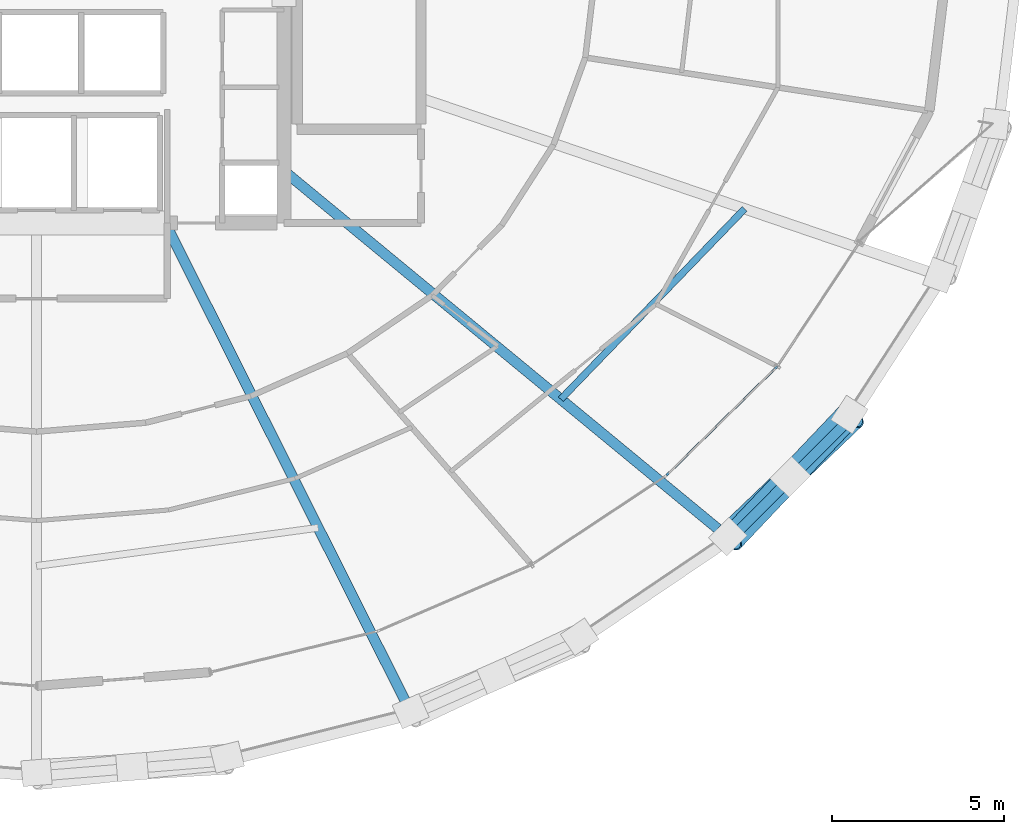
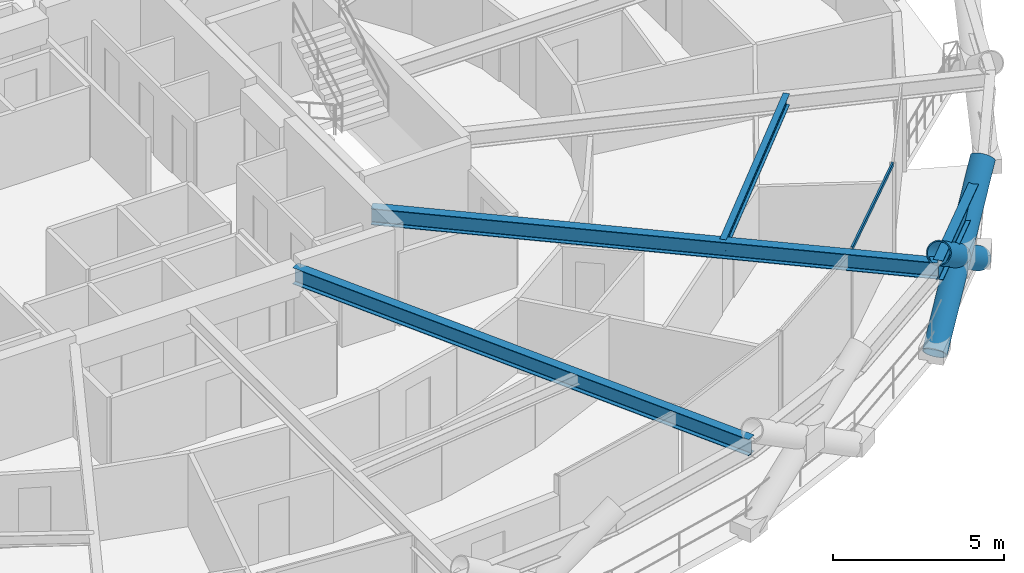
# One storey, part 9 of 19: 4 beams, 4 members, 1 element without a shape of its own.
"""IFC4 building model written with IfcOpenShell, lengths in metres."""

from ifc_helpers import new_model, si_unit, direction, frame, origin, origin_2d, place, context, subcontext, project, spatial, hollow_rectangle, hollow_circle, i_section, extrude, material, layer, layer_set, material_profile, profile_set, type_object, element, aggregate, save


model = new_model("IFC4")

# Units and contexts
model_context = context("Model", 3, precision=1e-05, world=origin(), true_north=direction((0.0, 1.0)))
body_context = subcontext(model_context, "Body", "Model", "MODEL_VIEW")
ifc_project = project(units=[si_unit("LENGTHUNIT", "METRE"), si_unit("AREAUNIT", "SQUARE_METRE"), si_unit("VOLUMEUNIT", "CUBIC_METRE"), si_unit("PLANEANGLEUNIT", "RADIAN"), si_unit("MASSUNIT", "GRAM", prefix="KILO")], contexts=[model_context])

# Site, building, storey
site_placement = place(None, origin())
site = spatial("IfcSite", under=ifc_project, at=site_placement, CompositionType="ELEMENT")
building_placement = place(site_placement, origin())
building = spatial("IfcBuilding", under=site, at=building_placement, Name="Veldorina Hangang Commons", CompositionType="ELEMENT")
storey_placement = place(building_placement, frame((0.0, 0.0, 52.0)))
storey = spatial("IfcBuildingStorey", under=building, at=storey_placement, Name="L12", CompositionType="ELEMENT", Elevation=52.0)

# Beams
ifc_material_1 = material(Name="Steel SM460-TMC", Category="steel")
ifc_material_profile_1 = material_profile(ifc_material_1, i_section(OverallWidth=0.300048828125, OverallDepth=0.587890625, WebThickness=0.011962890625, FlangeThickness=0.02001953125, FilletRadius=0.01806640625, at=origin_2d()), Name="H-588x300x12x20")
ifc_profile_set_1 = profile_set([ifc_material_profile_1], Name="Steel SM460-TMC")
beam_type_1 = type_object("IfcBeamType", Name="BM-FG588", PredefinedType="BEAM", material=ifc_profile_set_1)
beam_1_placement = place(storey_placement, frame((35.741455078125, 16.550048828125, 3.0458984375), z_axis=(0.448781583211, -0.893641477647, 0.0), x_axis=(0.893641477647, 0.448781583211, 0.0)))
element("IfcBeam", 1, at=beam_1_placement, inside=storey, type_object=beam_type_1, Name="L12 radial floor girder 14", PredefinedType="BEAM", context=body_context, shape_type="SweptSolid", body=[
    extrude(i_section(OverallWidth=0.300048828125, OverallDepth=0.587890625, WebThickness=0.011962890625, FlangeThickness=0.02001953125, FilletRadius=0.01806640625, at=origin_2d()), origin(), (0.0, 0.0, 1.0), 15.999267578125),
])
beam_2_placement = place(storey_placement, frame((39.199951171875, 18.061279296875, 3.0458984375), z_axis=(0.771448772905, -0.636291435416, 0.0), x_axis=(0.636291435416, 0.771448772905, 0.0)))
element("IfcBeam", 2, at=beam_2_placement, inside=storey, type_object=beam_type_1, Name="L12 radial floor girder 15", PredefinedType="BEAM", context=body_context, shape_type="SweptSolid", body=[
    extrude(i_section(OverallWidth=0.300048828125, OverallDepth=0.587890625, WebThickness=0.011962890625, FlangeThickness=0.02001953125, FilletRadius=0.01806640625, at=origin_2d()), origin(), (0.0, 0.0, 1.0), 16.826171875),
])
ifc_material_2 = material(Name="Steel SM355-TMC", Category="steel")
ifc_material_profile_2 = material_profile(ifc_material_2, i_section(OverallWidth=0.199951171875, OverallDepth=0.39990234375, WebThickness=0.008056640625, FlangeThickness=0.012939453125, FilletRadius=0.012939453125, at=origin_2d()), Name="H-400x200x8x13")
ifc_profile_set_2 = profile_set([ifc_material_profile_2], Name="Steel SM355-TMC")
beam_type_2 = type_object("IfcBeamType", Name="BM-JST400", PredefinedType="JOIST", material=ifc_profile_set_2)
beam_3_placement = place(storey_placement, frame((47.247802734375, 11.423583984375, 3.139892578125), z_axis=(0.694552641031, 0.719441887046, 0.0), x_axis=(-0.719441887046, 0.694552641031, 0.0)))
element("IfcBeam", 3, at=beam_3_placement, inside=storey, type_object=beam_type_2, Name="L12 secondary floor joist 15", PredefinedType="JOIST", context=body_context, shape_type="SweptSolid", body=[
    extrude(i_section(OverallWidth=0.199951171875, OverallDepth=0.39990234375, WebThickness=0.008056640625, FlangeThickness=0.012939453125, FilletRadius=0.012939453125, at=origin_2d()), origin(), (0.0, 0.0, 1.0), 7.7001953125),
])
ifc_material_profile_3 = material_profile(ifc_material_1, i_section(OverallWidth=0.300048828125, OverallDepth=0.699951171875, WebThickness=0.012939453125, FlangeThickness=0.02392578125, FilletRadius=0.02197265625, at=origin_2d()), Name="H-700x300x13x24")
ifc_profile_set_3 = profile_set([ifc_material_profile_3], Name="Steel SM460-TMC")
beam_type_3 = type_object("IfcBeamType", Name="BM-RB700", PredefinedType="BEAM", material=ifc_profile_set_3)
beam_4_placement = place(storey_placement, frame((52.180419921875, 7.35498046875, 2.989990234375), z_axis=(0.705333709409, 0.708875418089, 0.0), x_axis=(-0.708875418089, 0.705333709409, 0.0)))
element("IfcBeam", 4, at=beam_4_placement, inside=storey, type_object=beam_type_3, Name="L12 perimeter hoop ring beam 28", PredefinedType="BEAM", context=body_context, shape_type="SweptSolid", body=[
    extrude(i_section(OverallWidth=0.300048828125, OverallDepth=0.699951171875, WebThickness=0.012939453125, FlangeThickness=0.02392578125, FilletRadius=0.02197265625, at=origin_2d()), origin(), (0.0, 0.0, 1.0), 5.0322265625),
])

# Curtain wall, member
ifc_material_3 = material(Name="Glass Low-E Triple IGU", Category="glass")
ifc_layer = layer(ifc_material_3, 0.179931640625)
ifc_layer_set = layer_set([ifc_layer], Name="Glass Low-E Triple IGU")
curtain_wall_type = type_object("IfcCurtainWallType", Name="CW-SYS-Z1", PredefinedType="NOTDEFINED", material=ifc_layer_set)
curtain_wall_placement = place(storey_placement, origin())
curtain_wall = element("IfcCurtainWall", 5, at=curtain_wall_placement, inside=storey, type_object=curtain_wall_type, Name="L12 unitised curtain wall CW-L12-R2", PredefinedType="NOTDEFINED")
ifc_material_4 = material(Name="Aluminium Anodized AA6063-T6", Category="aluminium")
ifc_material_profile_4 = material_profile(ifc_material_4, hollow_rectangle(XDim=0.06005859375, YDim=0.139892578125, WallThickness=0.00341796875, at=origin_2d()), Name="ALU-RHS-140x60x3.5")
ifc_profile_set_4 = profile_set([ifc_material_profile_4], Name="Aluminium Anodized AA6063-T6")
member_type_1 = type_object("IfcMemberType", Name="CW-TRN-140", PredefinedType="USERDEFINED", material=ifc_profile_set_4)
member_1_placement = place(storey_placement, frame((50.32470703125, 9.210693359375, 3.260009765625), z_axis=(0.712996227665, 0.701167868157, 0.0), x_axis=(-0.701167868157, 0.712996227665, 0.0)))
member_1 = element("IfcMember", 6, at=member_1_placement, type_object=member_type_1, Name="CW-L12-R2 facet 4 transom 1", ObjectType="TRANSOM", PredefinedType="USERDEFINED", context=body_context, shape_type="SweptSolid", body=[
    extrude(hollow_rectangle(XDim=0.06005859375, YDim=0.139892578125, WallThickness=0.00341796875, at=origin_2d()), origin(), (0.0, 0.0, 1.0), 4.520263671875),
])
aggregate(curtain_wall, [member_1])

# Members
ifc_material_profile_5 = material_profile(ifc_material_1, hollow_circle(Radius=0.375, WallThickness=0.035888671875, at=origin_2d()), Name="CHS-750x36")
ifc_profile_set_5 = profile_set([ifc_material_profile_5], Name="Steel SM460-TMC")
member_type_2 = type_object("IfcMemberType", Name="DG-CHS750", PredefinedType="BRACE", material=ifc_profile_set_5)
member_2_placement = place(storey_placement, frame((52.106689453125, 7.4287109375, 0.0), z_axis=(0.58798574844, 0.56231657447, 0.581440306229), x_axis=(-0.691155519573, 0.722706059033, 0.0)))
element("IfcMember", 7, at=member_2_placement, inside=storey, type_object=member_type_2, Name="L12 continuous perimeter diagrid brace 28", PredefinedType="BRACE", context=body_context, shape_type="SweptSolid", body=[
    extrude(hollow_circle(Radius=0.375, WallThickness=0.035888671875, at=origin_2d()), origin(), (0.0, 0.0, 1.0), 6.191650390625),
])
member_3_placement = place(storey_placement, frame((55.64306640625, 10.97998046875, 0.0), z_axis=(-0.558853394942, -0.58946463525, 0.583278944203), x_axis=(0.725698648676, -0.688012697056, 0.0)))
element("IfcMember", 8, at=member_3_placement, inside=storey, type_object=member_type_2, Name="L12 split perimeter diagrid lower brace 29", PredefinedType="BRACE", context=body_context, shape_type="SweptSolid", body=[
    extrude(hollow_circle(Radius=0.375, WallThickness=0.035888671875, at=origin_2d()), origin(), (0.0, 0.0, 1.0), 3.07861328125),
])
member_4_placement = place(storey_placement, frame((53.922607421875, 9.165283203125, 1.795654296875), z_axis=(-0.55827453538, -0.590000060291, 0.583291926914), x_axis=(0.726366155224, -0.687307943025, 0.0)))
element("IfcMember", 9, at=member_4_placement, inside=storey, type_object=member_type_2, Name="L12 split perimeter diagrid upper brace 29", PredefinedType="BRACE", context=body_context, shape_type="SweptSolid", body=[
    extrude(hollow_circle(Radius=0.375, WallThickness=0.035888671875, at=origin_2d()), origin(), (0.0, 0.0, 1.0), 3.093505859375),
])

save(model, "model.ifc")
